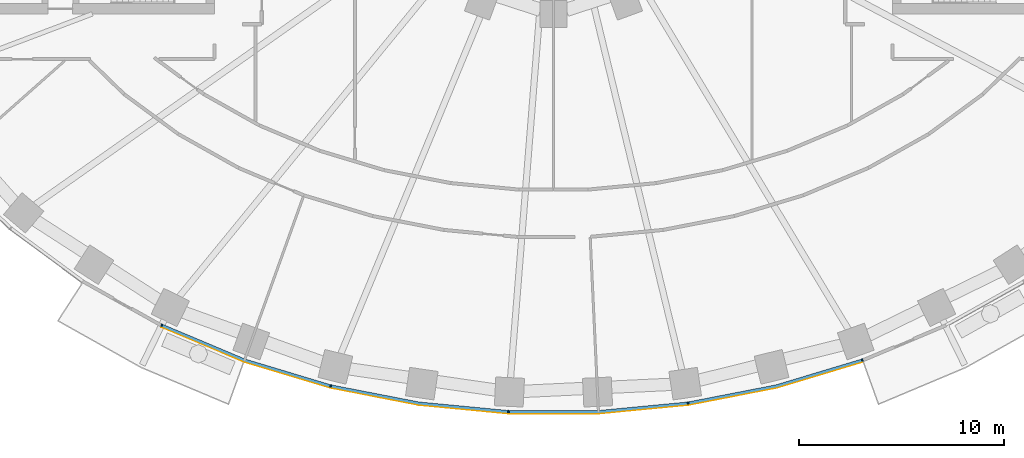
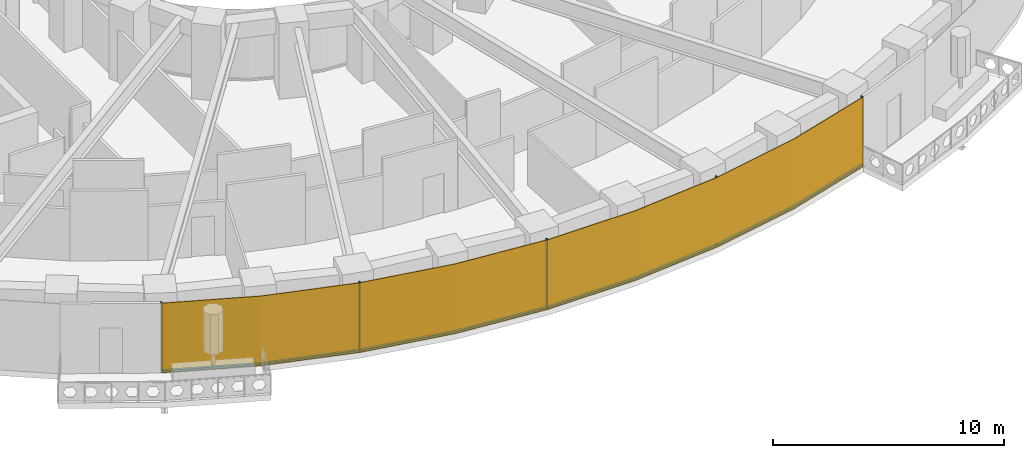
# One storey, part 10 of 16: 9 members, 1 curtain wall.
"""IFC4 building model written with IfcOpenShell, lengths in metres."""

from ifc_helpers import new_model, si_unit, direction, frame, origin, origin_2d, place, context, subcontext, project, spatial, polyline, rectangle, outline, extrude, material, layer, layer_set, material_profile, profile_set, type_object, element, aggregate, save


model = new_model("IFC4")

# Units and contexts
model_context = context("Model", 3, precision=1e-05, world=origin(), true_north=direction((0.0, 1.0)))
body_context = subcontext(model_context, "Body", "Model", "MODEL_VIEW")
ifc_project = project(units=[si_unit("LENGTHUNIT", "METRE"), si_unit("AREAUNIT", "SQUARE_METRE"), si_unit("VOLUMEUNIT", "CUBIC_METRE"), si_unit("PLANEANGLEUNIT", "RADIAN"), si_unit("MASSUNIT", "GRAM", prefix="KILO")], contexts=[model_context])

# Member
ifc_material_1 = material(Name="Aluminium 6063-T6 black anodised", Category="aluminium")
ifc_material_profile = material_profile(ifc_material_1, rectangle(XDim=0.1201171875, YDim=0.06005859375, at=origin_2d()), Name="120x60")
ifc_profile_set = profile_set([ifc_material_profile], Name="Aluminium 6063-T6 black anodised")
member_type_1 = type_object("IfcMemberType", Name="ENV-MULLION-A-120", PredefinedType="MULLION", material=ifc_profile_set)
site_placement = place(None, origin())
building_placement = place(site_placement, origin())
storey_placement = place(building_placement, frame((0.0, 0.0, 74.5)))
member_1_placement = place(storey_placement, frame((-19.06787109375, -23.6474609375, 0.0), z_axis=(0.0, 0.0, 1.0), x_axis=(0.439237769837, 0.898370848563, 0.0)))
member_1 = element("IfcMember", 1, at=member_1_placement, type_object=member_type_1, Name="Mullion A radial 31", PredefinedType="MULLION", context=body_context, shape_type="SweptSolid", body=[
    extrude(rectangle(XDim=0.1201171875, YDim=0.06005859375, at=origin_2d()), origin(), (0.0, 0.0, 1.0), 3.699951171875),
])

member_2_placement = place(storey_placement, frame((-10.84326171875, -26.60498046875, 0.0), z_axis=(0.0, 0.0, 1.0), x_axis=(0.239799081534, 0.970822538106, 0.0)))
member_2 = element("IfcMember", 2, at=member_2_placement, type_object=member_type_1, Name="Mullion A radial 33", PredefinedType="MULLION", context=body_context, shape_type="SweptSolid", body=[
    extrude(rectangle(XDim=0.1201171875, YDim=0.06005859375, at=origin_2d()), origin(), (0.0, 0.0, 1.0), 3.699951171875),
])

member_3_placement = place(storey_placement, frame((-2.188720703125, -27.856201171875, 0.0), z_axis=(0.0, 0.0, 1.0), x_axis=(0.047557873581, 0.998868484166, 0.0)))
member_3 = element("IfcMember", 3, at=member_3_placement, type_object=member_type_1, Name="Mullion A radial 35", PredefinedType="MULLION", context=body_context, shape_type="SweptSolid", body=[
    extrude(rectangle(XDim=0.1201171875, YDim=0.06005859375, at=origin_2d()), origin(), (0.0, 0.0, 1.0), 3.699951171875),
])

member_4_placement = place(storey_placement, frame((6.54638671875, -27.440185546875, 0.0), z_axis=(0.0, 0.0, 1.0), x_axis=(-0.143082012705, 0.989710835366, 0.0)))
member_4 = element("IfcMember", 4, at=member_4_placement, type_object=member_type_1, Name="Mullion A radial 37", PredefinedType="MULLION", context=body_context, shape_type="SweptSolid", body=[
    extrude(rectangle(XDim=0.1201171875, YDim=0.06005859375, at=origin_2d()), origin(), (0.0, 0.0, 1.0), 3.699951171875),
])

member_5_placement = place(storey_placement, frame((15.0341796875, -25.34375, 0.0), z_axis=(0.0, 0.0, 1.0), x_axis=(-0.338379256581, 0.941009818608, 0.0)))
member_5 = element("IfcMember", 5, at=member_5_placement, type_object=member_type_1, Name="Mullion A radial 39", PredefinedType="MULLION", context=body_context, shape_type="SweptSolid", body=[
    extrude(rectangle(XDim=0.1201171875, YDim=0.06005859375, at=origin_2d()), origin(), (0.0, 0.0, 1.0), 3.699951171875),
])

ifc_material_2 = material(Name="Aluminium 6063-T6 black anodised", Category="aluminium")
member_type_2 = type_object("IfcMemberType", Name="ENV-TRANSOM-A", PredefinedType="USERDEFINED", material=ifc_material_2)
member_6_placement = place(storey_placement, origin())
member_6 = element("IfcMember", 6, at=member_6_placement, type_object=member_type_2, Name="Transom A radial 31-33", ObjectType="TRANSOM", PredefinedType="USERDEFINED", context=body_context, shape_type="SweptSolid", body=[
    extrude(outline(polyline([(-19.068359375, -23.71240234375), (-15.054443359375, -25.400146484375), (-10.884521484375, -26.655029296875), (-10.855712890625, -26.53857421875), (-15.013916015625, -25.287109375), (-19.015380859375, -23.604248046875), (-19.068359375, -23.71240234375)])), origin(), (0.0, 0.0, 1.0), 0.10009765625),
])

member_7_placement = place(storey_placement, origin())
member_7 = element("IfcMember", 7, at=member_7_placement, type_object=member_type_2, Name="Transom A radial 33-35", ObjectType="TRANSOM", PredefinedType="USERDEFINED", context=body_context, shape_type="SweptSolid", body=[
    extrude(outline(polyline([(-10.830078125, -26.66845703125), (-6.55517578125, -27.49951171875), (-2.219482421875, -27.913330078125), (-2.2138671875, -27.793212890625), (-6.537841796875, -27.380615234375), (-10.80126953125, -26.552001953125), (-10.830078125, -26.66845703125)])), origin(), (0.0, 0.0, 1.0), 0.10009765625),
])

member_8_placement = place(storey_placement, origin())
member_8 = element("IfcMember", 8, at=member_8_placement, type_object=member_type_2, Name="Transom A radial 35-37", ObjectType="TRANSOM", PredefinedType="USERDEFINED", context=body_context, shape_type="SweptSolid", body=[
    extrude(outline(polyline([(-2.163818359375, -27.916015625), (2.191650390625, -27.916015625), (6.527099609375, -27.502197265625), (6.510009765625, -27.38330078125), (2.185791015625, -27.7958984375), (-2.157958984375, -27.7958984375), (-2.163818359375, -27.916015625)])), origin(), (0.0, 0.0, 1.0), 0.10009765625),
])

member_9_placement = place(storey_placement, origin())
member_9 = element("IfcMember", 9, at=member_9_placement, type_object=member_type_2, Name="Transom A radial 37-39", ObjectType="TRANSOM", PredefinedType="USERDEFINED", context=body_context, shape_type="SweptSolid", body=[
    extrude(outline(polyline([(6.58251953125, -27.494140625), (10.857666015625, -26.6630859375), (15.027587890625, -25.408203125), (14.987060546875, -25.295166015625), (10.828857421875, -26.54638671875), (6.5654296875, -27.375244140625), (6.58251953125, -27.494140625)])), origin(), (0.0, 0.0, 1.0), 0.10009765625),
])

# Site, building, storey
site = spatial("IfcSite", under=ifc_project, at=site_placement, CompositionType="ELEMENT")
building = spatial("IfcBuilding", under=site, at=building_placement, Name="Noorbagh Ring Tower", CompositionType="ELEMENT")
storey = spatial("IfcBuildingStorey", under=building, at=storey_placement, Name="L16", CompositionType="ELEMENT", Elevation=74.5)

# Curtain wall
ifc_material_3 = material(Name="Glass dark tinted laminated", Category="glass")
ifc_layer = layer(ifc_material_3, 0.031982421875)
ifc_layer_set = layer_set([ifc_layer], Name="Glass dark tinted laminated")
curtain_wall_type = type_object("IfcCurtainWallType", Name="ENV-CW-A", PredefinedType="NOTDEFINED", material=ifc_layer_set)
curtain_wall_placement = place(storey_placement, origin())
curtain_wall = element("IfcCurtainWall", 10, at=curtain_wall_placement, inside=storey, type_object=curtain_wall_type, Name="Curtain wall A R31", PredefinedType="NOTDEFINED", context=body_context, shape_type="SweptSolid", body=[
    extrude(outline(polyline([(-19.08984375, -23.738037109375), (-15.065185546875, -25.430419921875), (-10.865234375, -26.6943359375), (-6.559814453125, -27.53125), (-2.193115234375, -27.947998046875), (2.193115234375, -27.947998046875), (6.559814453125, -27.53125), (10.865234375, -26.6943359375), (15.046142578125, -25.43603515625), (15.035400390625, -25.406005859375), (10.857666015625, -26.6630859375), (6.55517578125, -27.49951171875), (2.191650390625, -27.916015625), (-2.191650390625, -27.916015625), (-6.55517578125, -27.49951171875), (-10.857666015625, -26.6630859375), (-15.054443359375, -25.400146484375), (-19.07568359375, -23.709228515625), (-19.08984375, -23.738037109375)])), origin(), (0.0, 0.0, 1.0), 3.699951171875),
])

aggregate(curtain_wall, [member_1, member_2, member_3, member_4, member_5, member_6, member_7, member_8, member_9])

save(model, "model.ifc")
